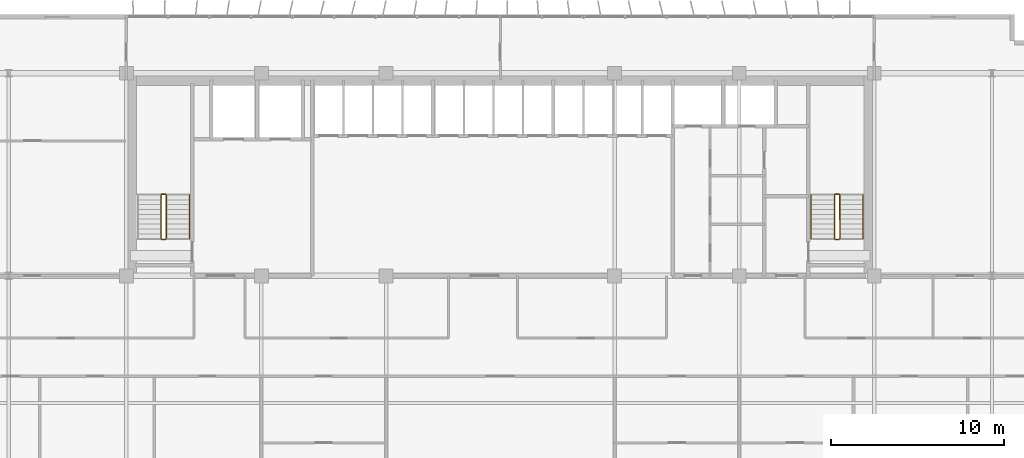
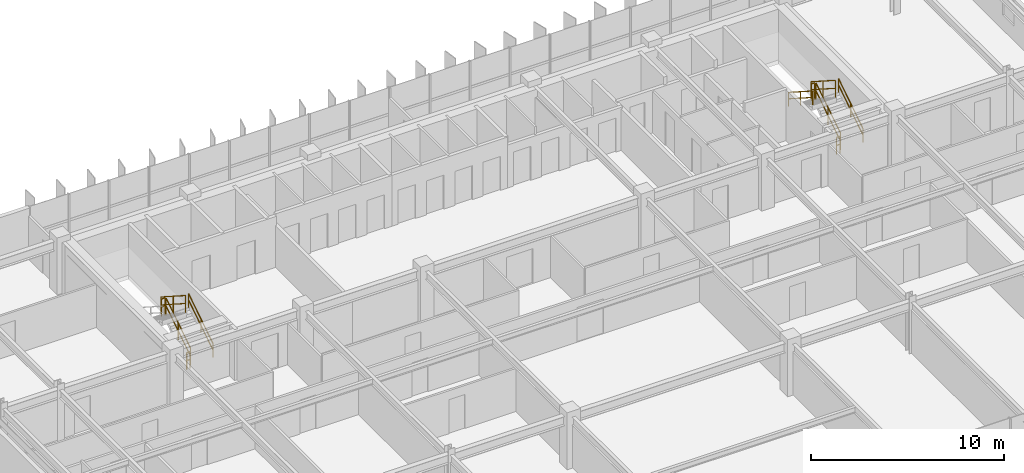
# One storey, part 25 of 26: 11 railings.
"""IFC4 building model written with IfcOpenShell, lengths in metres."""

from ifc_helpers import new_model, si_unit, direction, frame, origin, origin_2d, place, context, subcontext, project, spatial, rectangle, extrude, material, type_object, element, save


model = new_model("IFC4")

# Units and contexts
model_context = context("Model", 3, precision=1e-05, world=origin(), true_north=direction((0.0, 1.0)))
body_context = subcontext(model_context, "Body", "Model", "MODEL_VIEW")
ifc_project = project(units=[si_unit("LENGTHUNIT", "METRE"), si_unit("AREAUNIT", "SQUARE_METRE"), si_unit("VOLUMEUNIT", "CUBIC_METRE"), si_unit("PLANEANGLEUNIT", "RADIAN"), si_unit("MASSUNIT", "GRAM", prefix="KILO")], contexts=[model_context])

# Site, building, storey
site_placement = place(None, origin())
site = spatial("IfcSite", under=ifc_project, at=site_placement, CompositionType="ELEMENT")
building_placement = place(site_placement, origin())
building = spatial("IfcBuilding", under=site, at=building_placement, Name="Trelvane Seafront Commons", CompositionType="ELEMENT")
storey_placement = place(building_placement, frame((0.0, 0.0, 128.5)))
storey = spatial("IfcBuildingStorey", under=building, at=storey_placement, Name="L33", CompositionType="ELEMENT", Elevation=128.5)

# Railings
ifc_material = material(Name="Stainless steel balustrade", Category="steel")
railing_type_1 = type_object("IfcRailingType", Name="ARCH-SRL-GUARD", PredefinedType="GUARDRAIL", material=ifc_material)
railing_1_placement = place(storey_placement, frame((17.89990234375, 35.550048828125, 0.179931640625)))
element("IfcRailing", 1, at=railing_1_placement, inside=storey, type_object=railing_type_1, Name="L33 ST-1 stair guard 1", PredefinedType="GUARDRAIL", context=body_context, shape_type="SweptSolid", body=[
    extrude(rectangle(XDim=0.048095703125, YDim=0.048095703125, at=origin_2d()), frame((0.0, 0.0, 1.076171875), z_axis=(0.0, 0.841162588446, 0.540782303519), x_axis=(-1.0, 0.0, 0.0)), (0.0, 0.0, 1.0), 2.995849609375),
    extrude(rectangle(XDim=0.048095703125, YDim=0.048095703125, at=origin_2d()), frame((0.0, 0.0, 0.572021484375), z_axis=(0.0, 0.841162588446, 0.540782303519), x_axis=(-1.0, 0.0, 0.0)), (0.0, 0.0, 1.0), 2.995849609375),
    extrude(rectangle(XDim=0.0419921875, YDim=0.0419921875, at=origin_2d()), origin(), (0.0, 0.0, 1.0), 1.076171875),
    extrude(rectangle(XDim=0.0419921875, YDim=0.0419921875, at=origin_2d()), frame((0.0, 1.260009765625, 0.81005859375)), (0.0, 0.0, 1.0), 1.076171875),
    extrude(rectangle(XDim=0.0419921875, YDim=0.0419921875, at=origin_2d()), frame((0.0, 2.52001953125, 1.6201171875)), (0.0, 0.0, 1.0), 1.076171875),
])
railing_2_placement = place(storey_placement, frame((17.85009765625, 38.1201171875, 1.800048828125)))
element("IfcRailing", 2, at=railing_2_placement, inside=storey, type_object=railing_type_1, Name="L33 ST-1 stair guard 2", PredefinedType="GUARDRAIL", context=body_context, shape_type="SweptSolid", body=[
    extrude(rectangle(XDim=0.048095703125, YDim=0.048095703125, at=origin_2d()), frame((0.0, 0.0, 1.076171875), z_axis=(-1.0, 0.0, 0.0), x_axis=(0.0, -1.0, 0.0)), (0.0, 0.0, 1.0), 0.2001953125),
    extrude(rectangle(XDim=0.048095703125, YDim=0.048095703125, at=origin_2d()), frame((0.0, 0.0, 0.572021484375), z_axis=(-1.0, 0.0, 0.0), x_axis=(0.0, -1.0, 0.0)), (0.0, 0.0, 1.0), 0.2001953125),
    extrude(rectangle(XDim=0.0419921875, YDim=0.0419921875, at=origin_2d()), origin(), (0.0, 0.0, 1.0), 1.076171875),
    extrude(rectangle(XDim=0.0419921875, YDim=0.0419921875, at=origin_2d()), frame((-0.2001953125, 0.0, 0.0)), (0.0, 0.0, 1.0), 1.076171875),
])
railing_3_placement = place(storey_placement, frame((17.60009765625, 38.070068359375, 1.97998046875)))
element("IfcRailing", 3, at=railing_3_placement, inside=storey, type_object=railing_type_1, Name="L33 ST-1 stair guard 3", PredefinedType="GUARDRAIL", context=body_context, shape_type="SweptSolid", body=[
    extrude(rectangle(XDim=0.048095703125, YDim=0.048095703125, at=origin_2d()), frame((0.0, 0.0, 1.076171875), z_axis=(0.0, -0.841162588446, 0.540782303519), x_axis=(1.0, 0.0, 0.0)), (0.0, 0.0, 1.0), 2.995849609375),
    extrude(rectangle(XDim=0.048095703125, YDim=0.048095703125, at=origin_2d()), frame((0.0, 0.0, 0.572021484375), z_axis=(0.0, -0.841162588446, 0.540782303519), x_axis=(1.0, 0.0, 0.0)), (0.0, 0.0, 1.0), 2.995849609375),
    extrude(rectangle(XDim=0.0419921875, YDim=0.0419921875, at=origin_2d()), origin(), (0.0, 0.0, 1.0), 1.076171875),
    extrude(rectangle(XDim=0.0419921875, YDim=0.0419921875, at=origin_2d()), frame((0.0, -1.260009765625, 0.81005859375)), (0.0, 0.0, 1.0), 1.076171875),
    extrude(rectangle(XDim=0.0419921875, YDim=0.0419921875, at=origin_2d()), frame((0.0, -2.52001953125, 1.6201171875)), (0.0, 0.0, 1.0), 1.076171875),
])
railing_4_placement = place(storey_placement, frame((17.85009765625, 35.5, 0.0)))
element("IfcRailing", 4, at=railing_4_placement, inside=storey, type_object=railing_type_1, Name="L33 ST-1 stair guard 4", PredefinedType="GUARDRAIL", context=body_context, shape_type="SweptSolid", body=[
    extrude(rectangle(XDim=0.048095703125, YDim=0.048095703125, at=origin_2d()), frame((0.0, 0.0, 1.076171875), z_axis=(-1.0, 0.0, 0.0), x_axis=(0.0, -1.0, 0.0)), (0.0, 0.0, 1.0), 0.2001953125),
    extrude(rectangle(XDim=0.048095703125, YDim=0.048095703125, at=origin_2d()), frame((0.0, 0.0, 0.572021484375), z_axis=(-1.0, 0.0, 0.0), x_axis=(0.0, -1.0, 0.0)), (0.0, 0.0, 1.0), 0.2001953125),
    extrude(rectangle(XDim=0.0419921875, YDim=0.0419921875, at=origin_2d()), origin(), (0.0, 0.0, 1.0), 1.076171875),
    extrude(rectangle(XDim=0.0419921875, YDim=0.0419921875, at=origin_2d()), frame((-0.2001953125, 0.0, 0.0)), (0.0, 0.0, 1.0), 1.076171875),
])
railing_5_placement = place(storey_placement, frame((56.800048828125, 35.550048828125, 0.179931640625)))
element("IfcRailing", 5, at=railing_5_placement, inside=storey, type_object=railing_type_1, Name="L33 ST-2 stair guard 1", PredefinedType="GUARDRAIL", context=body_context, shape_type="SweptSolid", body=[
    extrude(rectangle(XDim=0.048095703125, YDim=0.048095703125, at=origin_2d()), frame((0.0, 0.0, 1.076171875), z_axis=(0.0, 0.841162588446, 0.540782303519), x_axis=(-1.0, 0.0, 0.0)), (0.0, 0.0, 1.0), 2.995849609375),
    extrude(rectangle(XDim=0.048095703125, YDim=0.048095703125, at=origin_2d()), frame((0.0, 0.0, 0.572021484375), z_axis=(0.0, 0.841162588446, 0.540782303519), x_axis=(-1.0, 0.0, 0.0)), (0.0, 0.0, 1.0), 2.995849609375),
    extrude(rectangle(XDim=0.0419921875, YDim=0.0419921875, at=origin_2d()), origin(), (0.0, 0.0, 1.0), 1.076171875),
    extrude(rectangle(XDim=0.0419921875, YDim=0.0419921875, at=origin_2d()), frame((0.0, 1.260009765625, 0.81005859375)), (0.0, 0.0, 1.0), 1.076171875),
    extrude(rectangle(XDim=0.0419921875, YDim=0.0419921875, at=origin_2d()), frame((0.0, 2.52001953125, 1.6201171875)), (0.0, 0.0, 1.0), 1.076171875),
])
railing_6_placement = place(storey_placement, frame((56.75, 38.1201171875, 1.800048828125)))
element("IfcRailing", 6, at=railing_6_placement, inside=storey, type_object=railing_type_1, Name="L33 ST-2 stair guard 2", PredefinedType="GUARDRAIL", context=body_context, shape_type="SweptSolid", body=[
    extrude(rectangle(XDim=0.048095703125, YDim=0.048095703125, at=origin_2d()), frame((0.0, 0.0, 1.076171875), z_axis=(-1.0, 0.0, 0.0), x_axis=(0.0, -1.0, 0.0)), (0.0, 0.0, 1.0), 0.199951171875),
    extrude(rectangle(XDim=0.048095703125, YDim=0.048095703125, at=origin_2d()), frame((0.0, 0.0, 0.572021484375), z_axis=(-1.0, 0.0, 0.0), x_axis=(0.0, -1.0, 0.0)), (0.0, 0.0, 1.0), 0.199951171875),
    extrude(rectangle(XDim=0.0419921875, YDim=0.0419921875, at=origin_2d()), origin(), (0.0, 0.0, 1.0), 1.076171875),
    extrude(rectangle(XDim=0.0419921875, YDim=0.0419921875, at=origin_2d()), frame((-0.199951171875, 0.0, 0.0)), (0.0, 0.0, 1.0), 1.076171875),
])
railing_7_placement = place(storey_placement, frame((56.5, 38.070068359375, 1.97998046875)))
element("IfcRailing", 7, at=railing_7_placement, inside=storey, type_object=railing_type_1, Name="L33 ST-2 stair guard 3", PredefinedType="GUARDRAIL", context=body_context, shape_type="SweptSolid", body=[
    extrude(rectangle(XDim=0.048095703125, YDim=0.048095703125, at=origin_2d()), frame((0.0, 0.0, 1.076171875), z_axis=(0.0, -0.841162588446, 0.540782303519), x_axis=(1.0, 0.0, 0.0)), (0.0, 0.0, 1.0), 2.995849609375),
    extrude(rectangle(XDim=0.048095703125, YDim=0.048095703125, at=origin_2d()), frame((0.0, 0.0, 0.572021484375), z_axis=(0.0, -0.841162588446, 0.540782303519), x_axis=(1.0, 0.0, 0.0)), (0.0, 0.0, 1.0), 2.995849609375),
    extrude(rectangle(XDim=0.0419921875, YDim=0.0419921875, at=origin_2d()), origin(), (0.0, 0.0, 1.0), 1.076171875),
    extrude(rectangle(XDim=0.0419921875, YDim=0.0419921875, at=origin_2d()), frame((0.0, -1.260009765625, 0.81005859375)), (0.0, 0.0, 1.0), 1.076171875),
    extrude(rectangle(XDim=0.0419921875, YDim=0.0419921875, at=origin_2d()), frame((0.0, -2.52001953125, 1.6201171875)), (0.0, 0.0, 1.0), 1.076171875),
])
railing_8_placement = place(storey_placement, frame((56.75, 35.5, 0.0)))
element("IfcRailing", 8, at=railing_8_placement, inside=storey, type_object=railing_type_1, Name="L33 ST-2 stair guard 4", PredefinedType="GUARDRAIL", context=body_context, shape_type="SweptSolid", body=[
    extrude(rectangle(XDim=0.048095703125, YDim=0.048095703125, at=origin_2d()), frame((0.0, 0.0, 1.076171875), z_axis=(-1.0, 0.0, 0.0), x_axis=(0.0, -1.0, 0.0)), (0.0, 0.0, 1.0), 0.199951171875),
    extrude(rectangle(XDim=0.048095703125, YDim=0.048095703125, at=origin_2d()), frame((0.0, 0.0, 0.572021484375), z_axis=(-1.0, 0.0, 0.0), x_axis=(0.0, -1.0, 0.0)), (0.0, 0.0, 1.0), 0.199951171875),
    extrude(rectangle(XDim=0.0419921875, YDim=0.0419921875, at=origin_2d()), origin(), (0.0, 0.0, 1.0), 1.076171875),
    extrude(rectangle(XDim=0.0419921875, YDim=0.0419921875, at=origin_2d()), frame((-0.199951171875, 0.0, 0.0)), (0.0, 0.0, 1.0), 1.076171875),
])
railing_type_2 = type_object("IfcRailingType", Name="ARCH-SRL-HAND", PredefinedType="HANDRAIL", material=ifc_material)
for number, where, name in (
    (9, (19.25, 35.550048828125, 0.179931640625), "L33 ST-1 stair handrail 1"),
    (10, (58.14990234375, 35.550048828125, 0.179931640625), "L33 ST-2 stair handrail 1"),
):
    element("IfcRailing", number, at=place(storey_placement, frame(where)), inside=storey, type_object=railing_type_2, Name=name, PredefinedType="HANDRAIL", context=body_context, shape_type="SweptSolid", body=[
        extrude(rectangle(XDim=0.048095703125, YDim=0.048095703125, at=origin_2d()), frame((0.0, 0.0, 0.8759765625), z_axis=(0.0, 0.841162588446, 0.540782303519), x_axis=(-1.0, 0.0, 0.0)), (0.0, 0.0, 1.0), 2.995849609375),
        extrude(rectangle(XDim=0.048095703125, YDim=0.048095703125, at=origin_2d()), frame((0.0, 0.0, 0.468017578125), z_axis=(0.0, 0.841162588446, 0.540782303519), x_axis=(-1.0, 0.0, 0.0)), (0.0, 0.0, 1.0), 2.995849609375),
        extrude(rectangle(XDim=0.0419921875, YDim=0.0419921875, at=origin_2d()), origin(), (0.0, 0.0, 1.0), 0.8759765625),
        extrude(rectangle(XDim=0.0419921875, YDim=0.0419921875, at=origin_2d()), frame((0.0, 1.260009765625, 0.81005859375)), (0.0, 0.0, 1.0), 0.8759765625),
        extrude(rectangle(XDim=0.0419921875, YDim=0.0419921875, at=origin_2d()), frame((0.0, 2.52001953125, 1.6201171875)), (0.0, 0.0, 1.0), 0.8759765625),
    ])
railing_9_placement = place(storey_placement, frame((55.14990234375, 38.070068359375, 1.97998046875)))
element("IfcRailing", 11, at=railing_9_placement, inside=storey, type_object=railing_type_2, Name="L33 ST-2 stair handrail 2", PredefinedType="HANDRAIL", context=body_context, shape_type="SweptSolid", body=[
    extrude(rectangle(XDim=0.048095703125, YDim=0.048095703125, at=origin_2d()), frame((0.0, 0.0, 0.8759765625), z_axis=(0.0, -0.841162588446, 0.540782303519), x_axis=(1.0, 0.0, 0.0)), (0.0, 0.0, 1.0), 2.995849609375),
    extrude(rectangle(XDim=0.048095703125, YDim=0.048095703125, at=origin_2d()), frame((0.0, 0.0, 0.468017578125), z_axis=(0.0, -0.841162588446, 0.540782303519), x_axis=(1.0, 0.0, 0.0)), (0.0, 0.0, 1.0), 2.995849609375),
    extrude(rectangle(XDim=0.0419921875, YDim=0.0419921875, at=origin_2d()), origin(), (0.0, 0.0, 1.0), 0.8759765625),
    extrude(rectangle(XDim=0.0419921875, YDim=0.0419921875, at=origin_2d()), frame((0.0, -1.260009765625, 0.81005859375)), (0.0, 0.0, 1.0), 0.8759765625),
    extrude(rectangle(XDim=0.0419921875, YDim=0.0419921875, at=origin_2d()), frame((0.0, -2.52001953125, 1.6201171875)), (0.0, 0.0, 1.0), 0.8759765625),
])

save(model, "model.ifc")
